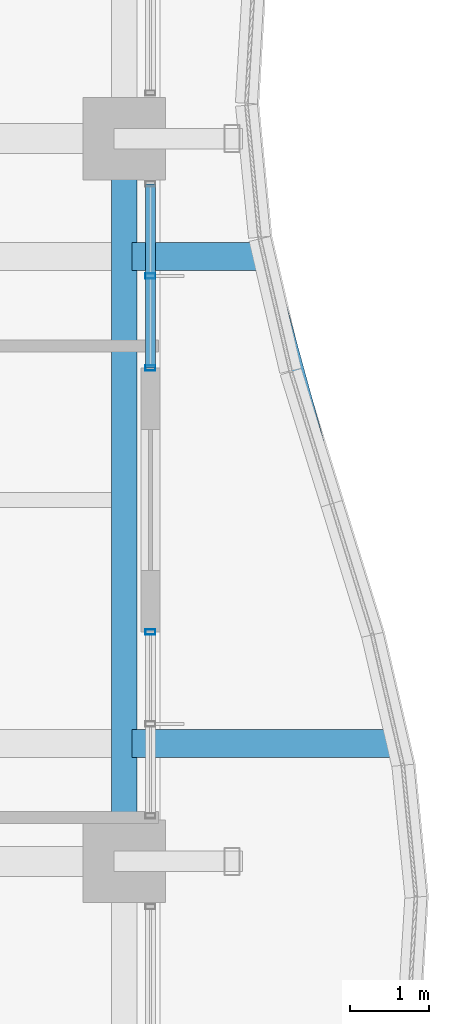
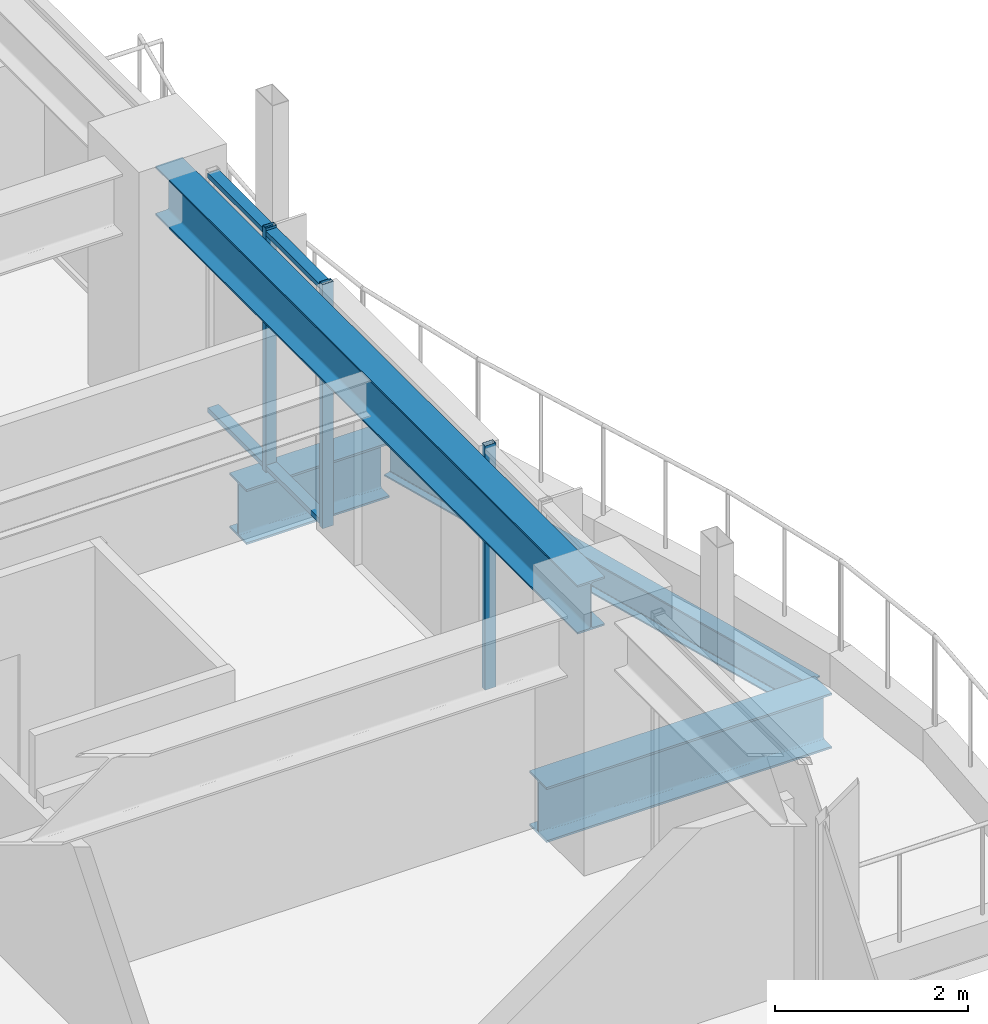
# One storey, part 16 of 35: 5 members, 4 beams, 2 elements without a shape of their own.
"""IFC4 building model written with IfcOpenShell, lengths in metres."""

from ifc_helpers import new_model, si_unit, direction, frame, origin, origin_2d, place, context, subcontext, project, spatial, hollow_rectangle, i_section, extrude, material, material_profile, profile_set, type_object, element, aggregate, save


model = new_model("IFC4")

# Units and contexts
model_context = context("Model", 3, precision=1e-05, world=origin(), true_north=direction((0.0, 1.0)))
body_context = subcontext(model_context, "Body", "Model", "MODEL_VIEW")
ifc_project = project(units=[si_unit("LENGTHUNIT", "METRE"), si_unit("AREAUNIT", "SQUARE_METRE"), si_unit("VOLUMEUNIT", "CUBIC_METRE"), si_unit("PLANEANGLEUNIT", "RADIAN"), si_unit("MASSUNIT", "GRAM", prefix="KILO")], contexts=[model_context])

# Site, building, storey
site_placement = place(None, origin())
site = spatial("IfcSite", under=ifc_project, at=site_placement, CompositionType="ELEMENT")
building_placement = place(site_placement, origin())
building = spatial("IfcBuilding", under=site, at=building_placement, Name="Kolvaren Belvedere", CompositionType="ELEMENT")
storey_placement = place(building_placement, frame((0.0, 0.0, 115.10009765625)))
storey = spatial("IfcBuildingStorey", under=building, at=storey_placement, Name="L33", CompositionType="ELEMENT", Elevation=115.10009765625)

# Beams
ifc_material_1 = material(Name="Structural steel ASTM A992 Grade 50", Category="steel")
ifc_material_profile_1 = material_profile(ifc_material_1, i_section(OverallWidth=0.35498046875, OverallDepth=0.696044921875, WebThickness=0.015380859375, FlangeThickness=0.02490234375, FilletRadius=0.02197265625, at=origin_2d()), Name="W27X146")
ifc_profile_set_1 = profile_set([ifc_material_profile_1], Name="Structural steel ASTM A992 Grade 50")
beam_type_1 = type_object("IfcBeamType", Name="BM-CANT-BAL", PredefinedType="BEAM", material=ifc_profile_set_1)
beam_1_placement = place(storey_placement, frame((18.7451171875, -3.10009765625, -0.568115234375), z_axis=(1.0, 0.0, 0.0), x_axis=(0.0, 1.0, 0.0)))
element("IfcBeam", 1, at=beam_1_placement, inside=storey, type_object=beam_type_1, Name="L33 Planted Balcony Cantilever BAL-E-1", PredefinedType="BEAM", context=body_context, shape_type="SweptSolid", body=[
    extrude(i_section(OverallWidth=0.35498046875, OverallDepth=0.696044921875, WebThickness=0.015380859375, FlangeThickness=0.02490234375, FilletRadius=0.02197265625, at=origin_2d()), origin(), (0.0, 0.0, 1.0), 3.40625),
])
beam_2_placement = place(storey_placement, frame((18.7451171875, 3.10009765625, -0.568115234375), z_axis=(1.0, 0.0, 0.0), x_axis=(0.0, 1.0, 0.0)))
element("IfcBeam", 2, at=beam_2_placement, inside=storey, type_object=beam_type_1, Name="L33 Planted Balcony Cantilever BAL-E-2", PredefinedType="BEAM", context=body_context, shape_type="SweptSolid", body=[
    extrude(i_section(OverallWidth=0.35498046875, OverallDepth=0.696044921875, WebThickness=0.015380859375, FlangeThickness=0.02490234375, FilletRadius=0.02197265625, at=origin_2d()), origin(), (0.0, 0.0, 1.0), 1.70361328125),
])
ifc_material_2 = material(Name="Structural steel ASTM A992 Grade 50", Category="steel")
ifc_material_profile_2 = material_profile(ifc_material_2, i_section(OverallWidth=0.180908203125, OverallDepth=0.4169921875, WebThickness=0.010986328125, FlangeThickness=0.018310546875, FilletRadius=0.013916015625, at=origin_2d()), Name="W16X57")
ifc_profile_set_2 = profile_set([ifc_material_profile_2], Name="Structural steel ASTM A992 Grade 50")
beam_type_2 = type_object("IfcBeamType", Name="BM-EDGE-W16X57", PredefinedType="BEAM", material=ifc_profile_set_2)
beam_3_placement = place(storey_placement, frame((22.1142578125, -2.965087890625, -0.4287109375), z_axis=(-0.26479660726, 0.964304286407, 0.0), x_axis=(-0.964304286407, -0.26479660726, 0.0)))
element("IfcBeam", 3, at=beam_3_placement, inside=storey, type_object=beam_type_2, Name="L33 Balcony Tip Header Beam BAL-E", PredefinedType="BEAM", context=body_context, shape_type="SweptSolid", body=[
    extrude(i_section(OverallWidth=0.180908203125, OverallDepth=0.4169921875, WebThickness=0.010986328125, FlangeThickness=0.018310546875, FilletRadius=0.013916015625, at=origin_2d()), origin(), (0.0, 0.0, 1.0), 6.149658203125),
])
ifc_material_3 = material(Name="Structural steel ASTM A992 Grade 50", Category="steel")
ifc_material_profile_3 = material_profile(ifc_material_3, i_section(OverallWidth=0.324951171875, OverallDepth=0.615966796875, WebThickness=0.013916015625, FlangeThickness=0.021484375, FilletRadius=0.02001953125, at=origin_2d()), Name="W24X117")
ifc_profile_set_3 = profile_set([ifc_material_profile_3], Name="Structural steel ASTM A992 Grade 50")
beam_type_3 = type_object("IfcBeamType", Name="BM-SPAN-W24X117", PredefinedType="SPANDREL", material=ifc_profile_set_3)
beam_4_placement = place(storey_placement, frame((18.64990234375, -4.36376953125, 2.77197265625), z_axis=(0.0, 1.0, 0.0), x_axis=(-1.0, 0.0, 0.0)))
element("IfcBeam", 4, at=beam_4_placement, inside=storey, type_object=beam_type_3, Name="L33 Perimeter Spandrel E2-E3", PredefinedType="SPANDREL", context=body_context, shape_type="SweptSolid", body=[
    extrude(i_section(OverallWidth=0.324951171875, OverallDepth=0.615966796875, WebThickness=0.013916015625, FlangeThickness=0.021484375, FilletRadius=0.02001953125, at=origin_2d()), origin(), (0.0, 0.0, 1.0), 8.7275390625),
])

# Curtain wall, members
ifc_material_4 = material(Name="Anodised pale-metal aluminium AA 6063-T6", Category="aluminium")
curtain_wall_type = type_object("IfcCurtainWallType", Name="CW-Z3-WAIST", PredefinedType="NOTDEFINED", material=ifc_material_4)
curtain_wall_1_placement = place(storey_placement, origin())
curtain_wall_1 = element("IfcCurtainWall", 5, at=curtain_wall_1_placement, inside=storey, type_object=curtain_wall_type, Name="L33 Unitised Curtain Wall FCW-L33-E1-B2", PredefinedType="NOTDEFINED")
ifc_material_5 = material(Name="Anodised pale-metal aluminium AA 6063-T6", Category="aluminium")
ifc_material_profile_4 = material_profile(ifc_material_5, hollow_rectangle(XDim=0.06494140625, YDim=0.1298828125, WallThickness=0.00390625, at=origin_2d()), Name="ALU-MUL-130X65")
ifc_profile_set_4 = profile_set([ifc_material_profile_4], Name="Anodised pale-metal aluminium AA 6063-T6")
member_type_1 = type_object("IfcMemberType", Name="CW-MUL-130", PredefinedType="MULLION", material=ifc_profile_set_4)
member_1_placement = place(storey_placement, frame((18.97998046875, 2.851318359375, 0.0), z_axis=(0.0, 0.0, 1.0), x_axis=(0.0, 1.0, 0.0)))
member_1 = element("IfcMember", 6, at=member_1_placement, type_object=member_type_1, Name="FCW-L33-E1-B2 Unitised Mullion 2", PredefinedType="MULLION", context=body_context, shape_type="SweptSolid", body=[
    extrude(hollow_rectangle(XDim=0.06494140625, YDim=0.1298828125, WallThickness=0.00390625, at=origin_2d()), origin(), (0.0, 0.0, 1.0), 3.079833984375),
])
member_2_placement = place(storey_placement, frame((18.97998046875, 1.679931640625, 0.0), z_axis=(0.0, 0.0, 1.0), x_axis=(0.0, 1.0, 0.0)))
member_2 = element("IfcMember", 7, at=member_2_placement, type_object=member_type_1, Name="FCW-L33-E1-B2 Unitised Mullion 3", PredefinedType="MULLION", context=body_context, shape_type="SweptSolid", body=[
    extrude(hollow_rectangle(XDim=0.06494140625, YDim=0.1298828125, WallThickness=0.00390625, at=origin_2d()), origin(), (0.0, 0.0, 1.0), 3.079833984375),
])

# Curtain wall, member
curtain_wall_2_placement = place(storey_placement, origin())
curtain_wall_2 = element("IfcCurtainWall", 8, at=curtain_wall_2_placement, inside=storey, type_object=curtain_wall_type, Name="L33 Unitised Curtain Wall FCW-L33-E2-B1", PredefinedType="NOTDEFINED")
member_3_placement = place(storey_placement, frame((18.97998046875, -1.679931640625, 0.0), z_axis=(0.0, 0.0, 1.0), x_axis=(0.0, 1.0, 0.0)))
member_3 = element("IfcMember", 9, at=member_3_placement, type_object=member_type_1, Name="FCW-L33-E2-B1 Unitised Mullion 1", PredefinedType="MULLION", context=body_context, shape_type="SweptSolid", body=[
    extrude(hollow_rectangle(XDim=0.06494140625, YDim=0.1298828125, WallThickness=0.00390625, at=origin_2d()), origin(), (0.0, 0.0, 1.0), 3.079833984375),
])
aggregate(curtain_wall_2, [member_3])

# Member
ifc_material_6 = material(Name="Anodised pale-metal aluminium AA 6063-T6", Category="aluminium")
ifc_material_profile_5 = material_profile(ifc_material_6, hollow_rectangle(XDim=0.06005859375, YDim=0.1298828125, WallThickness=0.00390625, at=origin_2d()), Name="ALU-TRN-130X60")
ifc_profile_set_5 = profile_set([ifc_material_profile_5], Name="Anodised pale-metal aluminium AA 6063-T6")
member_type_2 = type_object("IfcMemberType", Name="CW-TRN-130", PredefinedType="USERDEFINED", material=ifc_profile_set_5)
member_4_placement = place(storey_placement, frame((18.97998046875, 4.0224609375, 0.059814453125), z_axis=(0.0, -1.0, 0.0), x_axis=(0.0, 0.0, 1.0)))
member_4 = element("IfcMember", 10, at=member_4_placement, type_object=member_type_2, Name="FCW-L33-E1-B2 Sill Transom", ObjectType="TRANSOM", PredefinedType="USERDEFINED", context=body_context, shape_type="SweptSolid", body=[
    extrude(hollow_rectangle(XDim=0.06005859375, YDim=0.1298828125, WallThickness=0.00390625, at=origin_2d()), origin(), (0.0, 0.0, 1.0), 2.342529296875),
])

member_5_placement = place(storey_placement, frame((18.97998046875, 4.0224609375, 3.02001953125), z_axis=(0.0, -1.0, 0.0), x_axis=(0.0, 0.0, 1.0)))
member_5 = element("IfcMember", 11, at=member_5_placement, type_object=member_type_2, Name="FCW-L33-E1-B2 Head Transom", ObjectType="TRANSOM", PredefinedType="USERDEFINED", context=body_context, shape_type="SweptSolid", body=[
    extrude(hollow_rectangle(XDim=0.06005859375, YDim=0.1298828125, WallThickness=0.00390625, at=origin_2d()), origin(), (0.0, 0.0, 1.0), 2.342529296875),
])

aggregate(curtain_wall_1, [member_1, member_2, member_4, member_5])

save(model, "model.ifc")
